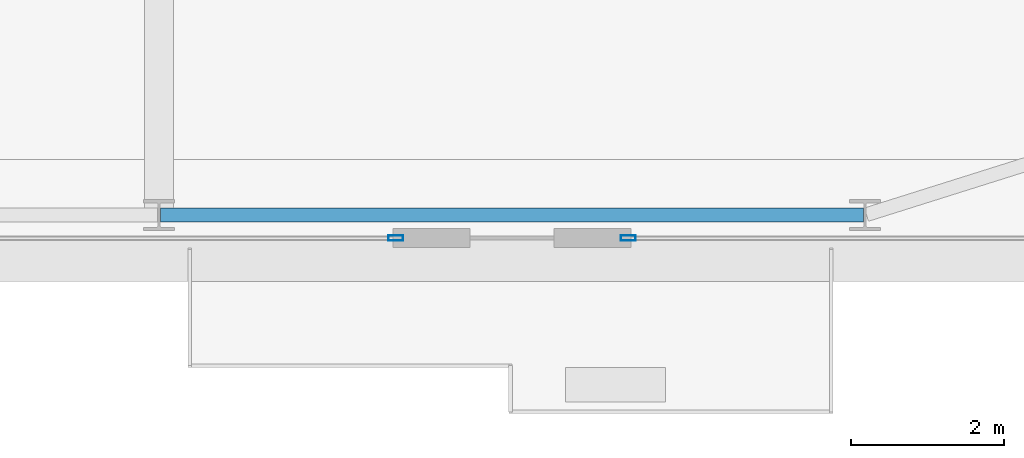
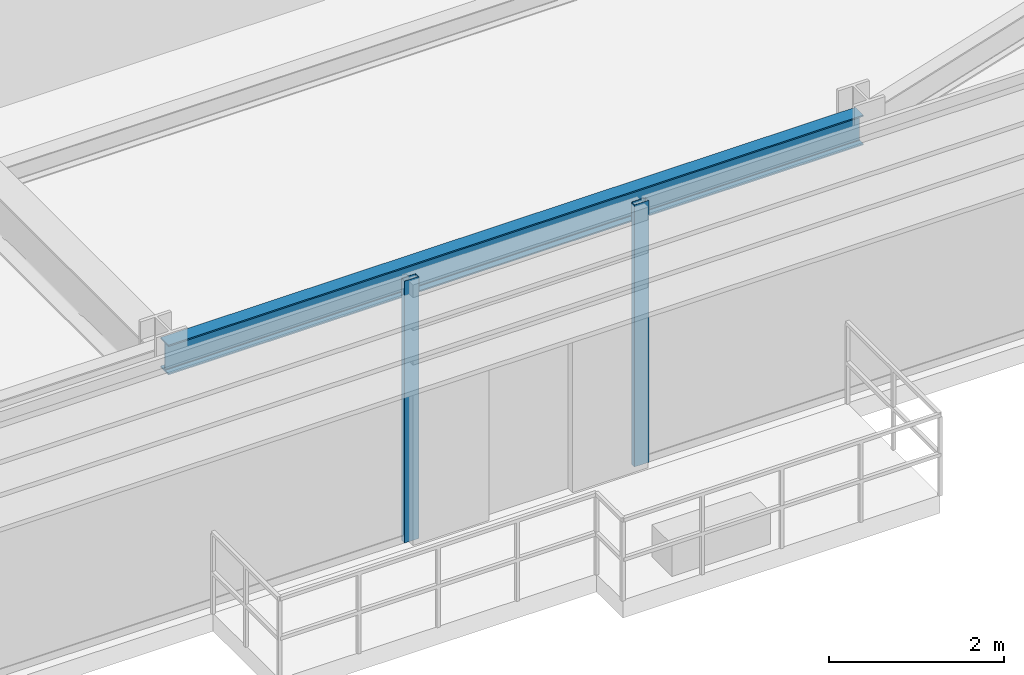
# One storey, part 12 of 29: 2 members, 1 beam, 2 elements without a shape of their own.
"""IFC4 building model written with IfcOpenShell, lengths in metres."""

import ifcopenshell
import ifcopenshell.guid

model = None  # the IFC model being written
_history = None  # IfcOwnerHistory: only IFC2X3 demands one
_inside = {}  # id of a spatial element -> (the spatial element, [elements in it])
_under = {}  # id of a project, library or spatial element -> (it, [spatial elements below it])
_declared = {}  # id of a project -> (the project, [libraries it declares])
_typed = {}  # id of a type object -> (the type object, [elements of that type])
_made_of = {}  # id of a material, layer set ... -> (it, [elements and type objects made of it])


def new_model(schema):
    """Start an empty IFC model of exactly this schema.

    Asked for "IFC4X3", IfcOpenShell would pick the latest addendum, in which some entities
    have other attributes; the version numbers below select the first issue.
    IFC2X3 requires an IfcOwnerHistory on every rooted entity: one is made here for all.
    """
    global model, _history
    if schema == "IFC4X3":
        model = ifcopenshell.file(schema_version=(4, 3, 0, 0))
    else:
        model = ifcopenshell.file(schema=schema)
    _inside.clear()
    _under.clear()
    _declared.clear()
    _typed.clear()
    _made_of.clear()
    _history = None
    if model.schema == "IFC2X3":
        org = make("IfcOrganization", Name="unknown")
        user = make(
            "IfcPersonAndOrganization",
            ThePerson=make("IfcPerson", FamilyName="unknown"),
            TheOrganization=org,
        )
        app = make(
            "IfcApplication",
            ApplicationDeveloper=org,
            Version="unknown",
            ApplicationFullName="unknown",
            ApplicationIdentifier="unknown",
        )
        _history = make(
            "IfcOwnerHistory",
            OwningUser=user,
            OwningApplication=app,
            ChangeAction="ADDED",
            CreationDate=0,
        )
    return model


def make(cls, **values):
    """One entity of the class cls with the attributes given. An attribute that is None is left unset."""
    return model.create_entity(
        cls, **{name: value for name, value in values.items() if value is not None}
    )


def rooted(cls, **values):
    """An entity with a GlobalId (a new one), such as an element, a storey or a relation."""
    return make(cls, GlobalId=ifcopenshell.guid.new(), OwnerHistory=_history, **values)


def si_unit(unit_type, name, prefix=None):
    """IfcSIUnit, for example si_unit("LENGTHUNIT", "METRE", prefix="MILLI")."""
    return make("IfcSIUnit", UnitType=unit_type, Prefix=prefix, Name=name)


def assignment(units):
    """IfcUnitAssignment: the units of a project."""
    return None if units is None else make("IfcUnitAssignment", Units=units)


def point(xyz):
    """IfcCartesianPoint."""
    return None if xyz is None else make("IfcCartesianPoint", Coordinates=xyz)


def direction(xyz):
    """IfcDirection."""
    return None if xyz is None else make("IfcDirection", DirectionRatios=xyz)


def frame(location, z_axis=None, x_axis=None):
    """IfcAxis2Placement3D, a coordinate frame: its origin and axes. An axis left out is left unset."""
    return make(
        "IfcAxis2Placement3D",
        Location=point(location),
        Axis=direction(z_axis),
        RefDirection=direction(x_axis),
    )


def frame_2d(location, x_axis=None):
    """IfcAxis2Placement2D, a coordinate frame in the plane: its origin and x axis."""
    return make(
        "IfcAxis2Placement2D", Location=point(location), RefDirection=direction(x_axis)
    )


def origin():
    """The frame at (0, 0, 0) with its axes left unset."""
    return frame((0.0, 0.0, 0.0))


def origin_2d():
    """The frame at (0, 0) in the plane with its x axis left unset."""
    return frame_2d((0.0, 0.0))


def place(relative_to, where):
    """IfcLocalPlacement: puts the frame where relative to a parent placement (None: the world)."""
    return make(
        "IfcLocalPlacement", PlacementRelTo=relative_to, RelativePlacement=where
    )


def context(
    kind, dimensions, precision=None, world=None, true_north=None, identifier=None
):
    """IfcGeometricRepresentationContext, for example the 3D "Model" context."""
    return make(
        "IfcGeometricRepresentationContext",
        ContextIdentifier=identifier,
        ContextType=kind,
        CoordinateSpaceDimension=dimensions,
        Precision=precision,
        WorldCoordinateSystem=world,
        TrueNorth=true_north,
    )


def subcontext(parent, identifier, kind, view, scale=None):
    """IfcGeometricRepresentationSubContext, for example "Body" below "Model"."""
    return make(
        "IfcGeometricRepresentationSubContext",
        ContextIdentifier=identifier,
        ContextType=kind,
        ParentContext=parent,
        TargetScale=scale,
        TargetView=view,
    )


def project(units=None, contexts=None):
    """IfcProject with its units and contexts."""
    return rooted(
        "IfcProject",
        Name="project",
        RepresentationContexts=contexts,
        UnitsInContext=assignment(units),
    )


def spatial(cls, under=None, at=None, **own):
    """A site, building, storey or space (cls), placed at a placement, below another one or the project."""
    s = rooted(cls, ObjectPlacement=at, **own)
    if under is not None:
        _under.setdefault(under.id(), (under, []))[1].append(s)
    return s


def profile(cls, at=None, kind="AREA", **sizes):
    """A parametric profile (cls). Its sizes go by their IFC names, for example OverallWidth=200.0."""
    return make(cls, ProfileType=kind, Position=at, **sizes)


def hollow_rectangle(**sizes):
    """IfcRectangleHollowProfileDef."""
    return profile("IfcRectangleHollowProfileDef", **sizes)


def i_section(**sizes):
    """IfcIShapeProfileDef."""
    return profile("IfcIShapeProfileDef", **sizes)


def extrude(swept, where, along, depth):
    """IfcExtrudedAreaSolid: the profile swept, set in the frame where, extruded along a direction by depth."""
    return make(
        "IfcExtrudedAreaSolid",
        SweptArea=swept,
        Position=where,
        ExtrudedDirection=direction(along),
        Depth=depth,
    )


def shape(context_of_items, identifier, shape_type, items):
    """IfcShapeRepresentation: the items that make up one representation, for example the "Body"."""
    return make(
        "IfcShapeRepresentation",
        ContextOfItems=context_of_items,
        RepresentationIdentifier=identifier,
        RepresentationType=shape_type,
        Items=items,
    )


def source(mapping_origin, context_of_items, identifier, shape_type, items):
    """IfcRepresentationMap: a shape defined once, which mapped items show again and again."""
    return make(
        "IfcRepresentationMap",
        MappingOrigin=mapping_origin,
        MappedRepresentation=shape(context_of_items, identifier, shape_type, items),
    )


def transform(
    local_origin,
    x_axis=None,
    y_axis=None,
    z_axis=None,
    scale=None,
    scale2=None,
    scale3=None,
    uniform=True,
):
    """IfcCartesianTransformationOperator3D, or its non-uniform kind. x_axis, y_axis, z_axis: its Axis1, 2, 3."""
    if uniform:
        return make(
            "IfcCartesianTransformationOperator3D",
            Axis1=direction(x_axis),
            Axis2=direction(y_axis),
            LocalOrigin=point(local_origin),
            Scale=scale,
            Axis3=direction(z_axis),
        )
    return make(
        "IfcCartesianTransformationOperator3DnonUniform",
        Axis1=direction(x_axis),
        Axis2=direction(y_axis),
        LocalOrigin=point(local_origin),
        Scale=scale,
        Axis3=direction(z_axis),
        Scale2=scale2,
        Scale3=scale3,
    )


def mapped(mapping_source, mapping_target):
    """IfcMappedItem: shows the shape of a source again, moved by a transform."""
    return make(
        "IfcMappedItem", MappingSource=mapping_source, MappingTarget=mapping_target
    )


def material(Name=None, Category=None):
    """IfcMaterial."""
    return make("IfcMaterial", Name=Name, Category=Category)


def layer(
    of_material, thickness, ventilated=None, Name=None, Category=None, Priority=None
):
    """IfcMaterialLayer: one layer of a wall or slab, of a material (None: an air gap)."""
    return make(
        "IfcMaterialLayer",
        Material=of_material,
        LayerThickness=thickness,
        IsVentilated=ventilated,
        Name=Name,
        Category=Category,
        Priority=Priority,
    )


def layer_set(layers, Name=None):
    """IfcMaterialLayerSet."""
    return make("IfcMaterialLayerSet", MaterialLayers=layers, LayerSetName=Name)


def material_profile(
    of_material, cross_section, Name=None, Category=None, Priority=None
):
    """IfcMaterialProfile: a cross section and its material."""
    return make(
        "IfcMaterialProfile",
        Name=Name,
        Material=of_material,
        Profile=cross_section,
        Priority=Priority,
        Category=Category,
    )


def profile_set(profiles, Name=None, composite=None):
    """IfcMaterialProfileSet."""
    return make(
        "IfcMaterialProfileSet",
        Name=Name,
        MaterialProfiles=profiles,
        CompositeProfile=composite,
    )


def made_of(thing, what):
    """Note that an element or type object is made of a material, layer set ...; save() writes the relation."""
    if what is not None:
        _made_of.setdefault(what.id(), (what, []))[1].append(thing)
    return thing


def type_object(cls, material=None, **own):
    """A type object (cls), such as IfcWallType, which elements share."""
    return made_of(rooted(cls, **own), material)


def type_shapes(of_type, sources):
    """Give a type object the sources (RepresentationMaps) that its elements show as mapped items."""
    of_type.RepresentationMaps = sources


def element(
    cls,
    number,
    at=None,
    inside=None,
    cuts=None,
    type_object=None,
    material=None,
    context=None,
    identifier="Body",
    shape_type=None,
    held_by="IfcProductDefinitionShape",
    body=None,
    shapes=None,
    **own,
):
    """One element of the class cls, such as IfcWall. Its Tag is "e" and its number.

    at: its placement. inside: the storey or other place that contains it. cuts: it is an
    opening in that element (IfcRelVoidsElement). A single representation is given by context,
    identifier, shape_type and body (its items); several are given by shapes. held_by: the class
    of the entity that holds the representations. save() writes the other relations.
    """
    e = rooted(cls, Tag="e%d" % number, ObjectPlacement=at, **own)
    if body is not None:
        shapes = [shape(context, identifier, shape_type, body)]
    if shapes is not None:
        e.Representation = make(held_by, Representations=shapes)
    if inside is not None:
        _inside.setdefault(inside.id(), (inside, []))[1].append(e)
    if cuts is not None:
        rooted(
            "IfcRelVoidsElement", RelatingBuildingElement=cuts, RelatedOpeningElement=e
        )
    if type_object is not None:
        _typed.setdefault(type_object.id(), (type_object, []))[1].append(e)
    return made_of(e, material)


def aggregate(whole, parts):
    """IfcRelAggregates: a whole, such as a stair, and the parts it consists of."""
    return rooted("IfcRelAggregates", RelatingObject=whole, RelatedObjects=parts)


def save(model, path):
    """Write the relations noted so far, then the file.

    IfcRelAggregates (storeys below a building ...), IfcRelContainedInSpatialStructure (elements
    in a storey), IfcRelDefinesByType, IfcRelAssociatesMaterial and IfcRelDeclares: one each for
    every whole, place, type object, material and project.
    """
    for whole, parts in _under.values():
        aggregate(whole, parts)
    for where, things in _inside.values():
        rooted(
            "IfcRelContainedInSpatialStructure",
            RelatedElements=things,
            RelatingStructure=where,
        )
    for kind, things in _typed.values():
        rooted("IfcRelDefinesByType", RelatedObjects=things, RelatingType=kind)
    for what, things in _made_of.values():
        rooted("IfcRelAssociatesMaterial", RelatedObjects=things, RelatingMaterial=what)
    for by, libraries in _declared.values():
        rooted("IfcRelDeclares", RelatingContext=by, RelatedDefinitions=libraries)
    model.write(path)


model = new_model("IFC4")

# Units and contexts
model_context = context("Model", 3, precision=1e-05, world=origin(), true_north=direction((0.0, 1.0)))
body_context = subcontext(model_context, "Body", "Model", "MODEL_VIEW")
ifc_project = project(units=[si_unit("LENGTHUNIT", "METRE"), si_unit("AREAUNIT", "SQUARE_METRE"), si_unit("VOLUMEUNIT", "CUBIC_METRE"), si_unit("PLANEANGLEUNIT", "RADIAN"), si_unit("MASSUNIT", "GRAM", prefix="KILO")], contexts=[model_context])

# Site, building, storey
site_placement = place(None, origin())
site = spatial("IfcSite", under=ifc_project, at=site_placement, CompositionType="ELEMENT")
building_placement = place(site_placement, origin())
building = spatial("IfcBuilding", under=site, at=building_placement, Name="Varnel Quay Broadcast Tower", CompositionType="ELEMENT")
storey_placement = place(building_placement, frame((0.0, 0.0, 74.39990234375)))
storey = spatial("IfcBuildingStorey", under=building, at=storey_placement, Name="L17", CompositionType="ELEMENT", Elevation=74.39990234375)

# Beam
ifc_material_1 = material(Name="Structural Steel CSA G40.21 350W", Category="steel")
ifc_material_profile_1 = material_profile(ifc_material_1, i_section(OverallWidth=0.180908203125, OverallDepth=0.4169921875, WebThickness=0.010986328125, FlangeThickness=0.018310546875, FilletRadius=0.011962890625, at=origin_2d()), Name="W410X85")
ifc_profile_set_1 = profile_set([ifc_material_profile_1], Name="Structural Steel CSA G40.21 350W")
beam_type = type_object("IfcBeamType", Name="Beam_W410X85", PredefinedType="SPANDREL", material=ifc_profile_set_1)
shared_shape_1 = source(origin(), body_context, "Body", "SweptSolid", [
    extrude(i_section(OverallWidth=0.180908203125, OverallDepth=0.4169921875, WebThickness=0.010986328125, FlangeThickness=0.018310546875, FilletRadius=0.011962890625, at=origin_2d()), origin(), (0.0, 0.0, 1.0), 9.159912109375),
])
type_shapes(beam_type, [shared_shape_1])
beam_placement = place(storey_placement, frame((43.219970703125, 1.64990234375, 3.441650390625), z_axis=(1.0, 0.0, 0.0), x_axis=(0.0, 1.0, 0.0)))
element("IfcBeam", 1, at=beam_placement, inside=storey, type_object=beam_type, Name="L17 South Spandrel TC-S4-TC-S5", PredefinedType="SPANDREL", context=body_context, shape_type="MappedRepresentation", body=[
    mapped(shared_shape_1, transform((0.0, 0.0, 0.0), x_axis=(1.0, 0.0, 0.0), y_axis=(0.0, 1.0, 0.0), z_axis=(0.0, 0.0, 1.0), scale=1.0)),
])

# Curtain wall, member
ifc_material_2 = material(Name="Anodised Bronze Aluminium 6063-T6", Category="aluminium")
ifc_layer = layer(ifc_material_2, 0.18994140625, Name="Anodised Bronze Aluminium 6063-T6")
ifc_layer_set = layer_set([ifc_layer], Name="Anodised Bronze Aluminium 6063-T6")
curtain_wall_type = type_object("IfcCurtainWallType", Name="CW_LowerTower", PredefinedType="NOTDEFINED", material=ifc_layer_set)
curtain_wall_1_placement = place(storey_placement, origin())
curtain_wall_1 = element("IfcCurtainWall", 2, at=curtain_wall_1_placement, inside=storey, type_object=curtain_wall_type, Name="L17 South Unitised Curtain Wall 2", PredefinedType="NOTDEFINED")
ifc_material_profile_2 = material_profile(ifc_material_2, hollow_rectangle(XDim=0.070068359375, YDim=0.18994140625, WallThickness=0.00390625, at=origin_2d()), Name="ALU70X190X4")
ifc_profile_set_2 = profile_set([ifc_material_profile_2], Name="Anodised Bronze Aluminium 6063-T6")
member_type = type_object("IfcMemberType", Name="Mull_CWS-02", PredefinedType="MULLION", material=ifc_profile_set_2)
shared_shape_2 = source(origin(), body_context, "Body", "SweptSolid", [
    extrude(hollow_rectangle(XDim=0.070068359375, YDim=0.18994140625, WallThickness=0.00390625, at=origin_2d()), origin(), (0.0, 0.0, 1.0), 3.650146484375),
])
type_shapes(member_type, [shared_shape_2])
member_1_placement = place(storey_placement, frame((46.284912109375, 1.35009765625, 0.0), z_axis=(0.0, 0.0, 1.0), x_axis=(0.0, 1.0, 0.0)))
member_1 = element("IfcMember", 3, at=member_1_placement, type_object=member_type, Name="CWS-02 mullion 3", PredefinedType="MULLION", context=body_context, shape_type="MappedRepresentation", body=[
    mapped(shared_shape_2, transform((0.0, 0.0, 0.0), x_axis=(1.0, 0.0, 0.0), y_axis=(0.0, 1.0, 0.0), z_axis=(0.0, 0.0, 1.0), scale=1.0)),
])
aggregate(curtain_wall_1, [member_1])

curtain_wall_2_placement = place(storey_placement, origin())
curtain_wall_2 = element("IfcCurtainWall", 4, at=curtain_wall_2_placement, inside=storey, type_object=curtain_wall_type, Name="L17 South Unitised Curtain Wall 3", PredefinedType="NOTDEFINED")
member_2_placement = place(storey_placement, frame((49.31494140625, 1.35009765625, 0.0), z_axis=(0.0, 0.0, 1.0), x_axis=(0.0, 1.0, 0.0)))
member_2 = element("IfcMember", 5, at=member_2_placement, type_object=member_type, Name="CWS-02 mullion 1", PredefinedType="MULLION", context=body_context, shape_type="MappedRepresentation", body=[
    mapped(shared_shape_2, transform((0.0, 0.0, 0.0), x_axis=(1.0, 0.0, 0.0), y_axis=(0.0, 1.0, 0.0), z_axis=(0.0, 0.0, 1.0), scale=1.0)),
])
aggregate(curtain_wall_2, [member_2])

save(model, "model.ifc")
